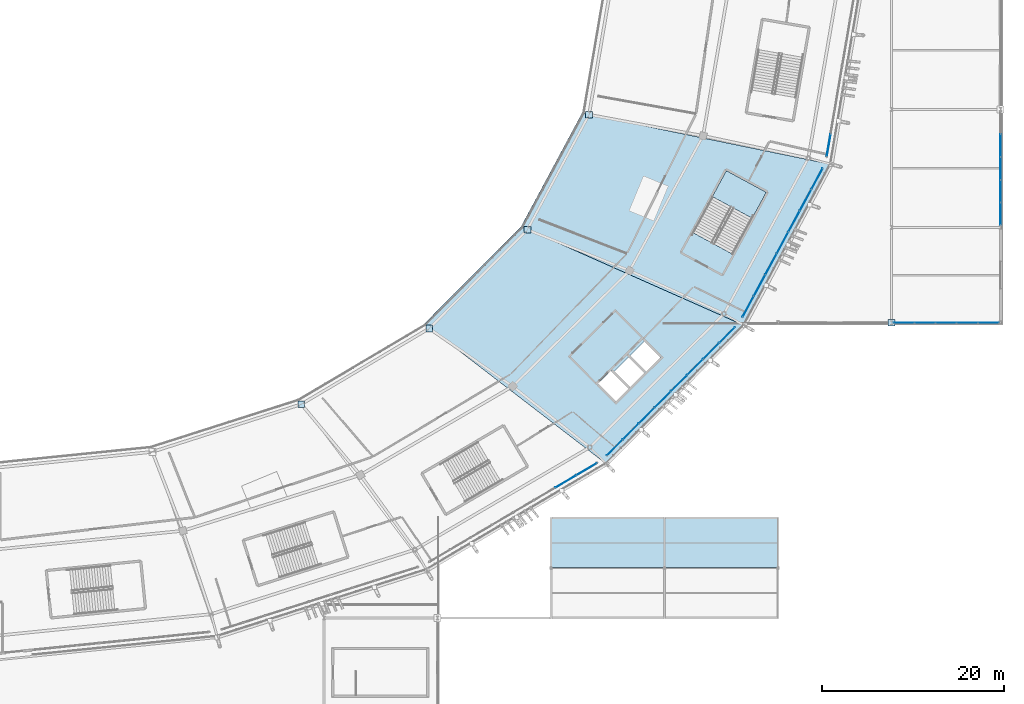
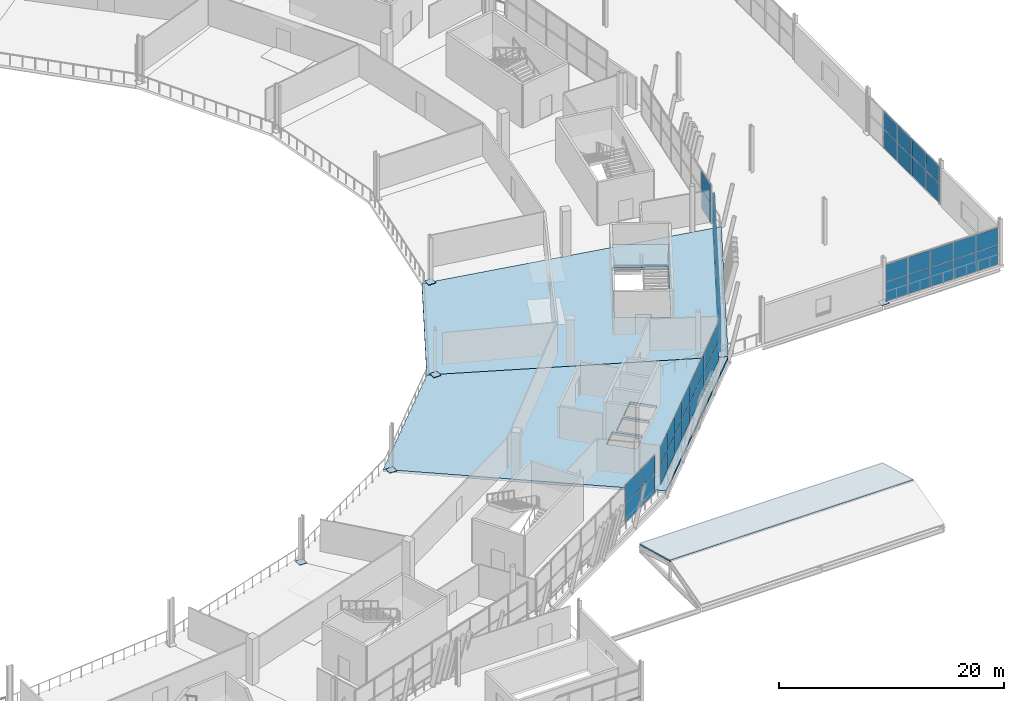
# One storey, part 97 of 179: 59 plates, 4 slabs, 8 elements without a shape of their own.
"""IFC4 building model written with IfcOpenShell, lengths in metres."""

from ifc_helpers import new_model, si_unit, direction, frame, origin, origin_2d, place, context, subcontext, project, spatial, polyline, rectangle, outline, extrude, material, layer, layer_set, type_object, element, aggregate, save


model = new_model("IFC4")

# Units and contexts
model_context = context("Model", 3, precision=1e-05, world=origin(), true_north=direction((0.0, 1.0)))
body_context = subcontext(model_context, "Body", "Model", "MODEL_VIEW")
ifc_project = project(units=[si_unit("LENGTHUNIT", "METRE"), si_unit("AREAUNIT", "SQUARE_METRE"), si_unit("VOLUMEUNIT", "CUBIC_METRE"), si_unit("PLANEANGLEUNIT", "RADIAN"), si_unit("MASSUNIT", "GRAM", prefix="KILO")], contexts=[model_context])

# Site, building, storey
site_placement = place(None, origin())
site = spatial("IfcSite", under=ifc_project, at=site_placement, CompositionType="ELEMENT")
building_placement = place(site_placement, origin())
building = spatial("IfcBuilding", under=site, at=building_placement, Name="Zlatoyarsky Gate Stadium", CompositionType="ELEMENT")
storey_placement = place(building_placement, frame((0.0, 0.0, 10.60009765625)))
storey = spatial("IfcBuildingStorey", under=building, at=storey_placement, Name="L02", CompositionType="ELEMENT", Elevation=10.60009765625)

# Roof, slab
ifc_material_1 = material(Name="Standing-seam aluminium-zinc roofing with mineral wool insulation", Category="aluminium")
ifc_layer_1 = layer(ifc_material_1, 0.080078125)
ifc_layer_set_1 = layer_set([ifc_layer_1], Name="Standing-seam aluminium-zinc roofing with mineral wool insulation")
roof_type = type_object("IfcRoofType", Name="WINTER GARDEN PAVILION ROOF ASSEMBLY", PredefinedType="PAVILION_ROOF", material=ifc_layer_set_1)
roof_placement = place(storey_placement, origin())
roof = element("IfcRoof", 1, at=roof_placement, inside=storey, type_object=roof_type, Name="V6_SE pavilion roof", PredefinedType="PAVILION_ROOF")
ifc_material_2 = material(Name="Concrete C40/50", Category="concrete")
ifc_layer_2 = layer(ifc_material_2, 0.159912109375)
ifc_layer_set_2 = layer_set([ifc_layer_2], Name="Concrete C40/50")
slab_type_1 = type_object("IfcSlabType", Name="COMPOSITE PORTICO CANOPY SLAB 160", PredefinedType="ROOF", material=ifc_layer_set_2)
slab_1_placement = place(storey_placement, frame((197.5, 22.0, 0.0), z_axis=(0.0, 0.263080822719, 0.964773797694), x_axis=(-1.0, 0.0, 0.0)))
slab_1 = element("IfcSlab", 2, at=slab_1_placement, type_object=slab_type_1, Name="V6_SE sloped roof slab 2", PredefinedType="ROOF", context=body_context, shape_type="SweptSolid", body=[
    extrude(outline(polyline([(0.0, 0.0), (25.0, 0.0), (25.0, 5.646917505320693), (0.0, 5.646917505320693), (0.0, 0.0)])), origin(), (0.0, 0.0, -1.0), 0.159912109375),
])
aggregate(roof, [slab_1])

# Slabs
ifc_layer_3 = layer(ifc_material_2, 0.280029296875)
ifc_layer_set_3 = layer_set([ifc_layer_3], Name="Concrete C40/50")
slab_type_2 = type_object("IfcSlabType", Name="CONCRETE HOSPITALITY SLAB 280", PredefinedType="FLOOR", material=ifc_layer_set_3)
slab_2_placement = place(storey_placement, frame((0.0, 0.0, -0.280029296875)))
element("IfcSlab", 3, at=slab_2_placement, inside=storey, type_object=slab_type_2, Name="L02 bowl sector 21 slab", PredefinedType="FLOOR", context=body_context, shape_type="SweptSolid", body=[
    extrude(outline(polyline([(169.197021484375, 54.10009765625), (193.85791015625, 43.162109375), (178.653076171875, 27.9033203125), (158.517578125, 43.371826171875), (169.197021484375, 54.10009765625)]), holes=[polyline([(179.643310546875, 34.814208984375), (181.06103515625, 36.224853515625), (179.086181640625, 38.209716796875), (177.668212890625, 36.799072265625), (179.643310546875, 34.814208984375)]), polyline([(181.23828125, 36.401123046875), (182.7978515625, 37.952880859375), (181.034423828125, 39.72509765625), (179.47509765625, 38.17333984375), (181.23828125, 36.401123046875)]), polyline([(182.97509765625, 38.129150390625), (184.53466796875, 39.680908203125), (182.771240234375, 41.452880859375), (181.2119140625, 39.9013671875), (182.97509765625, 38.129150390625)])]), origin(), (0.0, 0.0, 1.0), 0.280029296875),
])
slab_3_placement = place(storey_placement, frame((0.0, 0.0, -0.280029296875)))
element("IfcSlab", 4, at=slab_3_placement, inside=storey, type_object=slab_type_2, Name="L02 bowl sector 22 slab", PredefinedType="FLOOR", context=body_context, shape_type="SweptSolid", body=[
    extrude(outline(polyline([(175.91015625, 66.59326171875), (203.415771484375, 60.931396484375), (193.85791015625, 43.162109375), (169.197021484375, 54.10009765625), (175.91015625, 66.59326171875)]), holes=[polyline([(188.108154296875, 53.438720703125), (192.5029296875, 51.05419921875), (196.19873046875, 57.8662109375), (191.803955078125, 60.250732421875), (188.108154296875, 53.438720703125)])]), origin(), (0.0, 0.0, 1.0), 0.280029296875),
])

# Stair, slab
stair_type = type_object("IfcStairType", Name="CONCRETE DOGLEG EXIT STAIR H5000", PredefinedType="TWO_STRAIGHT_RUN_STAIR", material=ifc_material_2)
stair_placement = place(storey_placement, origin())
stair = element("IfcStair", 5, at=stair_placement, inside=storey, type_object=stair_type, Name="L02 Exit Stair ST-12", PredefinedType="TWO_STRAIGHT_RUN_STAIR")
ifc_layer_4 = layer(ifc_material_2, 0.199951171875)
ifc_layer_set_4 = layer_set([ifc_layer_4], Name="Concrete C40/50")
slab_type_3 = type_object("IfcSlabType", Name="CONCRETE STAIR LANDING SLAB 200", PredefinedType="LANDING", material=ifc_layer_set_4)
slab_4_placement = place(storey_placement, frame((0.0, 0.0, 2.2998046875)))
slab_4 = element("IfcSlab", 6, at=slab_4_placement, type_object=slab_type_3, Name="ST-DG50 landing 1", PredefinedType="LANDING", context=body_context, shape_type="SweptSolid", body=[
    extrude(outline(polyline([(194.64892578125, 55.009521484375), (196.19873046875, 57.8662109375), (191.803955078125, 60.250732421875), (190.254150390625, 57.39404296875), (194.64892578125, 55.009521484375)])), origin(), (0.0, 0.0, 1.0), 0.2001953125),
])
aggregate(stair, [slab_4])

# Plates
ifc_material_3 = material(Name="Steel S355", Category="steel")
ifc_layer_5 = layer(ifc_material_3, 0.0400390625)
ifc_layer_set_5 = layer_set([ifc_layer_5], Name="Steel S355")
plate_type_1 = type_object("IfcPlateType", Name="STEEL COLUMN BASE PLATE 40", PredefinedType="USERDEFINED", material=ifc_layer_set_5)
for number, where, z_axis, x_axis, name in (
    (7, (145.0, 34.53369140625, 0.0), (0.0, 0.0, 1.0), (1.0, 0.0, 0.0), "Column base plate BP-01 at RA-20 L02"),
    (8, (159.083251953125, 42.876953125, 0.0), (0.0, 0.0, 1.0), (1.0, 0.0, 0.0), "Column base plate BP-01 at RA-21 L02"),
    (9, (169.8896484375, 53.75, 0.0), (0.0, 0.0, 1.0), (1.0, 0.0, 0.0), "Column base plate BP-01 at RA-22 L02"),
    (10, (176.68310546875, 66.412109375, 0.0), (0.0, 0.0, 1.0), (1.0, 0.0, 0.0), "Column base plate BP-01 at RA-23 L02"),
    (11, (210.0, 43.5, 0.0), (0.0, 0.0, 1.0), (1.0, 0.0, 0.0), "Column base plate BP-01 at WG-18-E L02"),
):
    element("IfcPlate", number, at=place(storey_placement, frame(where, z_axis=z_axis, x_axis=x_axis)), inside=storey, type_object=plate_type_1, Name=name, ObjectType="BASE PLATE", PredefinedType="USERDEFINED", context=body_context, shape_type="SweptSolid", body=[
        extrude(rectangle(XDim=0.75, YDim=0.75, at=origin_2d()), origin(), (0.0, 0.0, 1.0), 0.0400390625),
    ])

# Curtain wall, plates
ifc_material_4 = material(Name="Thermally broken anodised aluminium curtain wall", Category="aluminium")
curtain_wall_type_1 = type_object("IfcCurtainWallType", Name="UNITISED HOSPITALITY GLAZING L02", PredefinedType="USERDEFINED", material=ifc_material_4)
curtain_wall_1_placement = place(storey_placement, origin())
curtain_wall_1 = element("IfcCurtainWall", 12, at=curtain_wall_1_placement, inside=storey, type_object=curtain_wall_type_1, Name="Curtain wall CW-L02-20", ObjectType="UNITISED GLAZING", PredefinedType="USERDEFINED")
ifc_material_5 = material(Name="Triple-glazed argon low-e architectural glass", Category="glass")
ifc_layer_6 = layer(ifc_material_5, 0.0380859375)
ifc_layer_set_6 = layer_set([ifc_layer_6], Name="Triple-glazed argon low-e architectural glass")
plate_type_2 = type_object("IfcPlateType", Name="TRIPLE GLAZED LOW E CURTAIN PANEL 38", PredefinedType="CURTAIN_PANEL", material=ifc_layer_set_6)
plate_1_placement = place(storey_placement, frame((174.1201171875, 26.017333984375, 0.06494140625), z_axis=(0.0, 0.0, 1.0), x_axis=(0.861425239802, 0.507884392586, 0.0)))
plate_1 = element("IfcPlate", 13, at=plate_1_placement, type_object=plate_type_2, Name="CW-UG2 panel 7.1", PredefinedType="CURTAIN_PANEL", context=body_context, shape_type="SweptSolid", body=[
    extrude(rectangle(XDim=2.626708984375, YDim=0.0380859375, at=origin_2d()), origin(), (0.0, 0.0, 1.0), 2.052490234375),
])
plate_2_placement = place(storey_placement, frame((174.1201171875, 26.017333984375, 2.1826171875), z_axis=(0.0, 0.0, 1.0), x_axis=(0.861425239802, 0.507884392586, 0.0)))
plate_2 = element("IfcPlate", 14, at=plate_2_placement, type_object=plate_type_2, Name="CW-UG2 panel 7.2", PredefinedType="CURTAIN_PANEL", context=body_context, shape_type="SweptSolid", body=[
    extrude(rectangle(XDim=2.626708984375, YDim=0.0380859375, at=origin_2d()), origin(), (0.0, 0.0, 1.0), 1.952392578125),
])
plate_3_placement = place(storey_placement, frame((176.4248046875, 27.376220703125, 0.06494140625), z_axis=(0.0, 0.0, 1.0), x_axis=(0.861425239802, 0.507884392586, 0.0)))
plate_3 = element("IfcPlate", 15, at=plate_3_placement, type_object=plate_type_2, Name="CW-UG2 panel 8.1", PredefinedType="CURTAIN_PANEL", context=body_context, shape_type="SweptSolid", body=[
    extrude(rectangle(XDim=2.59423828125, YDim=0.0380859375, at=origin_2d()), origin(), (0.0, 0.0, 1.0), 2.052490234375),
])
plate_4_placement = place(storey_placement, frame((176.4248046875, 27.376220703125, 2.1826171875), z_axis=(0.0, 0.0, 1.0), x_axis=(0.861425239802, 0.507884392586, 0.0)))
plate_4 = element("IfcPlate", 16, at=plate_4_placement, type_object=plate_type_2, Name="CW-UG2 panel 8.2", PredefinedType="CURTAIN_PANEL", context=body_context, shape_type="SweptSolid", body=[
    extrude(rectangle(XDim=2.59423828125, YDim=0.0380859375, at=origin_2d()), origin(), (0.0, 0.0, 1.0), 1.952392578125),
])
aggregate(curtain_wall_1, [plate_1, plate_2, plate_3, plate_4])

curtain_wall_2_placement = place(storey_placement, origin())
curtain_wall_2 = element("IfcCurtainWall", 17, at=curtain_wall_2_placement, inside=storey, type_object=curtain_wall_type_1, Name="Curtain wall CW-L02-21", ObjectType="UNITISED GLAZING", PredefinedType="USERDEFINED")
plate_5_placement = place(storey_placement, frame((179.514892578125, 29.7568359375, 0.06494140625), z_axis=(0.0, 0.0, 1.0), x_axis=(0.706628049573, 0.707585188904, 0.0)))
plate_5 = element("IfcPlate", 18, at=plate_5_placement, type_object=plate_type_2, Name="CW-UG2 panel 1.1", PredefinedType="CURTAIN_PANEL", context=body_context, shape_type="SweptSolid", body=[
    extrude(rectangle(XDim=2.409912109375, YDim=0.0380859375, at=origin_2d()), origin(), (0.0, 0.0, 1.0), 2.052490234375),
])
plate_6_placement = place(storey_placement, frame((179.514892578125, 29.7568359375, 2.1826171875), z_axis=(0.0, 0.0, 1.0), x_axis=(0.706628049573, 0.707585188904, 0.0)))
plate_6 = element("IfcPlate", 19, at=plate_6_placement, type_object=plate_type_2, Name="CW-UG2 panel 1.2", PredefinedType="CURTAIN_PANEL", context=body_context, shape_type="SweptSolid", body=[
    extrude(rectangle(XDim=2.409912109375, YDim=0.0380859375, at=origin_2d()), origin(), (0.0, 0.0, 1.0), 1.952392578125),
])
plate_7_placement = place(storey_placement, frame((181.275146484375, 31.51953125, 0.06494140625), z_axis=(0.0, 0.0, 1.0), x_axis=(0.706628049573, 0.707585188904, 0.0)))
plate_7 = element("IfcPlate", 20, at=plate_7_placement, type_object=plate_type_2, Name="CW-UG2 panel 2.1", PredefinedType="CURTAIN_PANEL", context=body_context, shape_type="SweptSolid", body=[
    extrude(rectangle(XDim=2.4423828125, YDim=0.0380859375, at=origin_2d()), origin(), (0.0, 0.0, 1.0), 2.052490234375),
])
plate_8_placement = place(storey_placement, frame((181.275146484375, 31.51953125, 2.1826171875), z_axis=(0.0, 0.0, 1.0), x_axis=(0.706628049573, 0.707585188904, 0.0)))
plate_8 = element("IfcPlate", 21, at=plate_8_placement, type_object=plate_type_2, Name="CW-UG2 panel 2.2", PredefinedType="CURTAIN_PANEL", context=body_context, shape_type="SweptSolid", body=[
    extrude(rectangle(XDim=2.4423828125, YDim=0.0380859375, at=origin_2d()), origin(), (0.0, 0.0, 1.0), 1.952392578125),
])
plate_9_placement = place(storey_placement, frame((183.047119140625, 33.293701171875, 0.06494140625), z_axis=(0.0, 0.0, 1.0), x_axis=(0.706628049573, 0.707585188904, 0.0)))
plate_9 = element("IfcPlate", 22, at=plate_9_placement, type_object=plate_type_2, Name="CW-UG2 panel 3.1", PredefinedType="CURTAIN_PANEL", context=body_context, shape_type="SweptSolid", body=[
    extrude(rectangle(XDim=2.4423828125, YDim=0.0380859375, at=origin_2d()), origin(), (0.0, 0.0, 1.0), 2.052490234375),
])
plate_10_placement = place(storey_placement, frame((183.047119140625, 33.293701171875, 2.1826171875), z_axis=(0.0, 0.0, 1.0), x_axis=(0.706628049573, 0.707585188904, 0.0)))
plate_10 = element("IfcPlate", 23, at=plate_10_placement, type_object=plate_type_2, Name="CW-UG2 panel 3.2", PredefinedType="CURTAIN_PANEL", context=body_context, shape_type="SweptSolid", body=[
    extrude(rectangle(XDim=2.4423828125, YDim=0.0380859375, at=origin_2d()), origin(), (0.0, 0.0, 1.0), 1.952392578125),
])
plate_11_placement = place(storey_placement, frame((184.81884765625, 35.06787109375, 0.06494140625), z_axis=(0.0, 0.0, 1.0), x_axis=(0.706628049573, 0.707585188904, 0.0)))
plate_11 = element("IfcPlate", 24, at=plate_11_placement, type_object=plate_type_2, Name="CW-UG2 panel 4.1", PredefinedType="CURTAIN_PANEL", context=body_context, shape_type="SweptSolid", body=[
    extrude(rectangle(XDim=2.4423828125, YDim=0.0380859375, at=origin_2d()), origin(), (0.0, 0.0, 1.0), 2.052490234375),
])
plate_12_placement = place(storey_placement, frame((184.81884765625, 35.06787109375, 2.1826171875), z_axis=(0.0, 0.0, 1.0), x_axis=(0.706628049573, 0.707585188904, 0.0)))
plate_12 = element("IfcPlate", 25, at=plate_12_placement, type_object=plate_type_2, Name="CW-UG2 panel 4.2", PredefinedType="CURTAIN_PANEL", context=body_context, shape_type="SweptSolid", body=[
    extrude(rectangle(XDim=2.4423828125, YDim=0.0380859375, at=origin_2d()), origin(), (0.0, 0.0, 1.0), 1.952392578125),
])
plate_13_placement = place(storey_placement, frame((186.5908203125, 36.84228515625, 0.06494140625), z_axis=(0.0, 0.0, 1.0), x_axis=(0.706628049573, 0.707585188904, 0.0)))
plate_13 = element("IfcPlate", 26, at=plate_13_placement, type_object=plate_type_2, Name="CW-UG2 panel 5.1", PredefinedType="CURTAIN_PANEL", context=body_context, shape_type="SweptSolid", body=[
    extrude(rectangle(XDim=2.4423828125, YDim=0.0380859375, at=origin_2d()), origin(), (0.0, 0.0, 1.0), 2.052490234375),
])
plate_14_placement = place(storey_placement, frame((186.5908203125, 36.84228515625, 2.1826171875), z_axis=(0.0, 0.0, 1.0), x_axis=(0.706628049573, 0.707585188904, 0.0)))
plate_14 = element("IfcPlate", 27, at=plate_14_placement, type_object=plate_type_2, Name="CW-UG2 panel 5.2", PredefinedType="CURTAIN_PANEL", context=body_context, shape_type="SweptSolid", body=[
    extrude(rectangle(XDim=2.4423828125, YDim=0.0380859375, at=origin_2d()), origin(), (0.0, 0.0, 1.0), 1.952392578125),
])
plate_15_placement = place(storey_placement, frame((188.362548828125, 38.616455078125, 0.06494140625), z_axis=(0.0, 0.0, 1.0), x_axis=(0.706628049573, 0.707585188904, 0.0)))
plate_15 = element("IfcPlate", 28, at=plate_15_placement, type_object=plate_type_2, Name="CW-UG2 panel 6.1", PredefinedType="CURTAIN_PANEL", context=body_context, shape_type="SweptSolid", body=[
    extrude(rectangle(XDim=2.4423828125, YDim=0.0380859375, at=origin_2d()), origin(), (0.0, 0.0, 1.0), 2.052490234375),
])
plate_16_placement = place(storey_placement, frame((188.362548828125, 38.616455078125, 2.1826171875), z_axis=(0.0, 0.0, 1.0), x_axis=(0.706628049573, 0.707585188904, 0.0)))
plate_16 = element("IfcPlate", 29, at=plate_16_placement, type_object=plate_type_2, Name="CW-UG2 panel 6.2", PredefinedType="CURTAIN_PANEL", context=body_context, shape_type="SweptSolid", body=[
    extrude(rectangle(XDim=2.4423828125, YDim=0.0380859375, at=origin_2d()), origin(), (0.0, 0.0, 1.0), 1.952392578125),
])
plate_17_placement = place(storey_placement, frame((190.134521484375, 40.390625, 0.06494140625), z_axis=(0.0, 0.0, 1.0), x_axis=(0.706628049573, 0.707585188904, 0.0)))
plate_17 = element("IfcPlate", 30, at=plate_17_placement, type_object=plate_type_2, Name="CW-UG2 panel 7.1", PredefinedType="CURTAIN_PANEL", context=body_context, shape_type="SweptSolid", body=[
    extrude(rectangle(XDim=2.4423828125, YDim=0.0380859375, at=origin_2d()), origin(), (0.0, 0.0, 1.0), 2.052490234375),
])
plate_18_placement = place(storey_placement, frame((190.134521484375, 40.390625, 2.1826171875), z_axis=(0.0, 0.0, 1.0), x_axis=(0.706628049573, 0.707585188904, 0.0)))
plate_18 = element("IfcPlate", 31, at=plate_18_placement, type_object=plate_type_2, Name="CW-UG2 panel 7.2", PredefinedType="CURTAIN_PANEL", context=body_context, shape_type="SweptSolid", body=[
    extrude(rectangle(XDim=2.4423828125, YDim=0.0380859375, at=origin_2d()), origin(), (0.0, 0.0, 1.0), 1.952392578125),
])
plate_19_placement = place(storey_placement, frame((191.894775390625, 42.153564453125, 0.06494140625), z_axis=(0.0, 0.0, 1.0), x_axis=(0.706628049573, 0.707585188904, 0.0)))
plate_19 = element("IfcPlate", 32, at=plate_19_placement, type_object=plate_type_2, Name="CW-UG2 panel 8.1", PredefinedType="CURTAIN_PANEL", context=body_context, shape_type="SweptSolid", body=[
    extrude(rectangle(XDim=2.409912109375, YDim=0.0380859375, at=origin_2d()), origin(), (0.0, 0.0, 1.0), 2.052490234375),
])
plate_20_placement = place(storey_placement, frame((191.894775390625, 42.153564453125, 2.1826171875), z_axis=(0.0, 0.0, 1.0), x_axis=(0.706628049573, 0.707585188904, 0.0)))
plate_20 = element("IfcPlate", 33, at=plate_20_placement, type_object=plate_type_2, Name="CW-UG2 panel 8.2", PredefinedType="CURTAIN_PANEL", context=body_context, shape_type="SweptSolid", body=[
    extrude(rectangle(XDim=2.409912109375, YDim=0.0380859375, at=origin_2d()), origin(), (0.0, 0.0, 1.0), 1.952392578125),
])
aggregate(curtain_wall_2, [plate_5, plate_6, plate_7, plate_8, plate_9, plate_10, plate_11, plate_12, plate_13, plate_14, plate_15, plate_16, plate_17, plate_18, plate_19, plate_20])

curtain_wall_3_placement = place(storey_placement, origin())
curtain_wall_3 = element("IfcCurtainWall", 34, at=curtain_wall_3_placement, inside=storey, type_object=curtain_wall_type_1, Name="Curtain wall CW-L02-22", ObjectType="UNITISED GLAZING", PredefinedType="USERDEFINED")
plate_21_placement = place(storey_placement, frame((194.201171875, 45.27392578125, 0.06494140625), z_axis=(0.0, 0.0, 1.0), x_axis=(0.474534214859, 0.88023705837, 0.0)))
plate_21 = element("IfcPlate", 35, at=plate_21_placement, type_object=plate_type_2, Name="CW-UG2 panel 1.1", PredefinedType="CURTAIN_PANEL", context=body_context, shape_type="SweptSolid", body=[
    extrude(rectangle(XDim=2.5732421875, YDim=0.0380859375, at=origin_2d()), origin(), (0.0, 0.0, 1.0), 2.052490234375),
])
plate_22_placement = place(storey_placement, frame((194.201171875, 45.27392578125, 2.1826171875), z_axis=(0.0, 0.0, 1.0), x_axis=(0.474534214859, 0.88023705837, 0.0)))
plate_22 = element("IfcPlate", 36, at=plate_22_placement, type_object=plate_type_2, Name="CW-UG2 panel 1.2", PredefinedType="CURTAIN_PANEL", context=body_context, shape_type="SweptSolid", body=[
    extrude(rectangle(XDim=2.5732421875, YDim=0.0380859375, at=origin_2d()), origin(), (0.0, 0.0, 1.0), 1.952392578125),
])
plate_23_placement = place(storey_placement, frame((195.4609375, 47.610595703125, 0.06494140625), z_axis=(0.0, 0.0, 1.0), x_axis=(0.474534214859, 0.88023705837, 0.0)))
plate_23 = element("IfcPlate", 37, at=plate_23_placement, type_object=plate_type_2, Name="CW-UG2 panel 2.1", PredefinedType="CURTAIN_PANEL", context=body_context, shape_type="SweptSolid", body=[
    extrude(rectangle(XDim=2.605712890625, YDim=0.0380859375, at=origin_2d()), origin(), (0.0, 0.0, 1.0), 2.052490234375),
])
plate_24_placement = place(storey_placement, frame((195.4609375, 47.610595703125, 2.1826171875), z_axis=(0.0, 0.0, 1.0), x_axis=(0.474534214859, 0.88023705837, 0.0)))
plate_24 = element("IfcPlate", 38, at=plate_24_placement, type_object=plate_type_2, Name="CW-UG2 panel 2.2", PredefinedType="CURTAIN_PANEL", context=body_context, shape_type="SweptSolid", body=[
    extrude(rectangle(XDim=2.605712890625, YDim=0.0380859375, at=origin_2d()), origin(), (0.0, 0.0, 1.0), 1.952392578125),
])
plate_25_placement = place(storey_placement, frame((196.728271484375, 49.96142578125, 0.06494140625), z_axis=(0.0, 0.0, 1.0), x_axis=(0.474534214859, 0.88023705837, 0.0)))
plate_25 = element("IfcPlate", 39, at=plate_25_placement, type_object=plate_type_2, Name="CW-UG2 panel 3.1", PredefinedType="CURTAIN_PANEL", context=body_context, shape_type="SweptSolid", body=[
    extrude(rectangle(XDim=2.605712890625, YDim=0.0380859375, at=origin_2d()), origin(), (0.0, 0.0, 1.0), 2.052490234375),
])
plate_26_placement = place(storey_placement, frame((196.728271484375, 49.96142578125, 2.1826171875), z_axis=(0.0, 0.0, 1.0), x_axis=(0.474534214859, 0.88023705837, 0.0)))
plate_26 = element("IfcPlate", 40, at=plate_26_placement, type_object=plate_type_2, Name="CW-UG2 panel 3.2", PredefinedType="CURTAIN_PANEL", context=body_context, shape_type="SweptSolid", body=[
    extrude(rectangle(XDim=2.605712890625, YDim=0.0380859375, at=origin_2d()), origin(), (0.0, 0.0, 1.0), 1.952392578125),
])
plate_27_placement = place(storey_placement, frame((197.99560546875, 52.312255859375, 0.06494140625), z_axis=(0.0, 0.0, 1.0), x_axis=(0.474534214859, 0.88023705837, 0.0)))
plate_27 = element("IfcPlate", 41, at=plate_27_placement, type_object=plate_type_2, Name="CW-UG2 panel 4.1", PredefinedType="CURTAIN_PANEL", context=body_context, shape_type="SweptSolid", body=[
    extrude(rectangle(XDim=2.605712890625, YDim=0.0380859375, at=origin_2d()), origin(), (0.0, 0.0, 1.0), 2.052490234375),
])
plate_28_placement = place(storey_placement, frame((197.99560546875, 52.312255859375, 2.1826171875), z_axis=(0.0, 0.0, 1.0), x_axis=(0.474534214859, 0.88023705837, 0.0)))
plate_28 = element("IfcPlate", 42, at=plate_28_placement, type_object=plate_type_2, Name="CW-UG2 panel 4.2", PredefinedType="CURTAIN_PANEL", context=body_context, shape_type="SweptSolid", body=[
    extrude(rectangle(XDim=2.605712890625, YDim=0.0380859375, at=origin_2d()), origin(), (0.0, 0.0, 1.0), 1.952392578125),
])
plate_29_placement = place(storey_placement, frame((199.262939453125, 54.6630859375, 0.06494140625), z_axis=(0.0, 0.0, 1.0), x_axis=(0.474534214859, 0.88023705837, 0.0)))
plate_29 = element("IfcPlate", 43, at=plate_29_placement, type_object=plate_type_2, Name="CW-UG2 panel 5.1", PredefinedType="CURTAIN_PANEL", context=body_context, shape_type="SweptSolid", body=[
    extrude(rectangle(XDim=2.605712890625, YDim=0.0380859375, at=origin_2d()), origin(), (0.0, 0.0, 1.0), 2.052490234375),
])
plate_30_placement = place(storey_placement, frame((199.262939453125, 54.6630859375, 2.1826171875), z_axis=(0.0, 0.0, 1.0), x_axis=(0.474534214859, 0.88023705837, 0.0)))
plate_30 = element("IfcPlate", 44, at=plate_30_placement, type_object=plate_type_2, Name="CW-UG2 panel 5.2", PredefinedType="CURTAIN_PANEL", context=body_context, shape_type="SweptSolid", body=[
    extrude(rectangle(XDim=2.605712890625, YDim=0.0380859375, at=origin_2d()), origin(), (0.0, 0.0, 1.0), 1.952392578125),
])
plate_31_placement = place(storey_placement, frame((200.5302734375, 57.013916015625, 0.06494140625), z_axis=(0.0, 0.0, 1.0), x_axis=(0.474534214859, 0.88023705837, 0.0)))
plate_31 = element("IfcPlate", 45, at=plate_31_placement, type_object=plate_type_2, Name="CW-UG2 panel 6.1", PredefinedType="CURTAIN_PANEL", context=body_context, shape_type="SweptSolid", body=[
    extrude(rectangle(XDim=2.605712890625, YDim=0.0380859375, at=origin_2d()), origin(), (0.0, 0.0, 1.0), 2.052490234375),
])
plate_32_placement = place(storey_placement, frame((200.5302734375, 57.013916015625, 2.1826171875), z_axis=(0.0, 0.0, 1.0), x_axis=(0.474534214859, 0.88023705837, 0.0)))
plate_32 = element("IfcPlate", 46, at=plate_32_placement, type_object=plate_type_2, Name="CW-UG2 panel 6.2", PredefinedType="CURTAIN_PANEL", context=body_context, shape_type="SweptSolid", body=[
    extrude(rectangle(XDim=2.605712890625, YDim=0.0380859375, at=origin_2d()), origin(), (0.0, 0.0, 1.0), 1.952392578125),
])
plate_33_placement = place(storey_placement, frame((201.7900390625, 59.3505859375, 0.06494140625), z_axis=(0.0, 0.0, 1.0), x_axis=(0.474534214859, 0.88023705837, 0.0)))
plate_33 = element("IfcPlate", 47, at=plate_33_placement, type_object=plate_type_2, Name="CW-UG2 panel 7.1", PredefinedType="CURTAIN_PANEL", context=body_context, shape_type="SweptSolid", body=[
    extrude(rectangle(XDim=2.5732421875, YDim=0.0380859375, at=origin_2d()), origin(), (0.0, 0.0, 1.0), 2.052490234375),
])
plate_34_placement = place(storey_placement, frame((201.7900390625, 59.3505859375, 2.1826171875), z_axis=(0.0, 0.0, 1.0), x_axis=(0.474534214859, 0.88023705837, 0.0)))
plate_34 = element("IfcPlate", 48, at=plate_34_placement, type_object=plate_type_2, Name="CW-UG2 panel 7.2", PredefinedType="CURTAIN_PANEL", context=body_context, shape_type="SweptSolid", body=[
    extrude(rectangle(XDim=2.5732421875, YDim=0.0380859375, at=origin_2d()), origin(), (0.0, 0.0, 1.0), 1.952392578125),
])
aggregate(curtain_wall_3, [plate_21, plate_22, plate_23, plate_24, plate_25, plate_26, plate_27, plate_28, plate_29, plate_30, plate_31, plate_32, plate_33, plate_34])

curtain_wall_4_placement = place(storey_placement, origin())
curtain_wall_4 = element("IfcCurtainWall", 49, at=curtain_wall_4_placement, inside=storey, type_object=curtain_wall_type_1, Name="Curtain wall CW-L02-23", ObjectType="UNITISED GLAZING", PredefinedType="USERDEFINED")
plate_35_placement = place(storey_placement, frame((203.067626953125, 63.026611328125, 0.06494140625), z_axis=(0.0, 0.0, 1.0), x_axis=(0.168876489016, 0.985637221019, 0.0)))
plate_35 = element("IfcPlate", 50, at=plate_35_placement, type_object=plate_type_2, Name="CW-UG2 panel 1.1", PredefinedType="CURTAIN_PANEL", context=body_context, shape_type="SweptSolid", body=[
    extrude(rectangle(XDim=2.454345703125, YDim=0.0380859375, at=origin_2d()), origin(), (0.0, 0.0, 1.0), 2.052490234375),
])
plate_36_placement = place(storey_placement, frame((203.067626953125, 63.026611328125, 2.1826171875), z_axis=(0.0, 0.0, 1.0), x_axis=(0.168876489016, 0.985637221019, 0.0)))
plate_36 = element("IfcPlate", 51, at=plate_36_placement, type_object=plate_type_2, Name="CW-UG2 panel 1.2", PredefinedType="CURTAIN_PANEL", context=body_context, shape_type="SweptSolid", body=[
    extrude(rectangle(XDim=2.454345703125, YDim=0.0380859375, at=origin_2d()), origin(), (0.0, 0.0, 1.0), 1.952392578125),
])
aggregate(curtain_wall_4, [plate_35, plate_36])

curtain_wall_type_2 = type_object("IfcCurtainWallType", Name="WINTER GARDEN CONSERVATORY GLAZING", PredefinedType="USERDEFINED", material=ifc_material_4)
curtain_wall_5_placement = place(storey_placement, origin())
curtain_wall_5 = element("IfcCurtainWall", 52, at=curtain_wall_5_placement, inside=storey, type_object=curtain_wall_type_2, Name="Curtain wall CW-V5_EAST-L02-183", ObjectType="UNITISED GLAZING", PredefinedType="USERDEFINED")
plate_37_placement = place(storey_placement, frame((222.0, 55.48583984375, 0.06494140625), z_axis=(0.0, 0.0, 1.0), x_axis=(0.0, 1.0, 0.0)))
plate_37 = element("IfcPlate", 53, at=plate_37_placement, type_object=plate_type_2, Name="CW-WG1 panel 1.1", PredefinedType="CURTAIN_PANEL", context=body_context, shape_type="SweptSolid", body=[
    extrude(rectangle(XDim=2.417724609375, YDim=0.0380859375, at=origin_2d()), origin(), (0.0, 0.0, 1.0), 2.052490234375),
])
plate_38_placement = place(storey_placement, frame((222.0, 55.48583984375, 2.182373046875), z_axis=(0.0, 0.0, 1.0), x_axis=(0.0, 1.0, 0.0)))
plate_38 = element("IfcPlate", 54, at=plate_38_placement, type_object=plate_type_2, Name="CW-WG1 panel 1.2", PredefinedType="CURTAIN_PANEL", context=body_context, shape_type="SweptSolid", body=[
    extrude(rectangle(XDim=2.417724609375, YDim=0.0380859375, at=origin_2d()), origin(), (0.0, 0.0, 1.0), 1.8525390625),
])
plate_39_placement = place(storey_placement, frame((222.0, 57.98486328125, 0.06494140625), z_axis=(0.0, 0.0, 1.0), x_axis=(0.0, 1.0, 0.0)))
plate_39 = element("IfcPlate", 55, at=plate_39_placement, type_object=plate_type_2, Name="CW-WG1 panel 2.1", PredefinedType="CURTAIN_PANEL", context=body_context, shape_type="SweptSolid", body=[
    extrude(rectangle(XDim=2.4501953125, YDim=0.0380859375, at=origin_2d()), origin(), (0.0, 0.0, 1.0), 2.052490234375),
])
plate_40_placement = place(storey_placement, frame((222.0, 57.98486328125, 2.182373046875), z_axis=(0.0, 0.0, 1.0), x_axis=(0.0, 1.0, 0.0)))
plate_40 = element("IfcPlate", 56, at=plate_40_placement, type_object=plate_type_2, Name="CW-WG1 panel 2.2", PredefinedType="CURTAIN_PANEL", context=body_context, shape_type="SweptSolid", body=[
    extrude(rectangle(XDim=2.4501953125, YDim=0.0380859375, at=origin_2d()), origin(), (0.0, 0.0, 1.0), 1.8525390625),
])
plate_41_placement = place(storey_placement, frame((222.0, 60.5, 0.06494140625), z_axis=(0.0, 0.0, 1.0), x_axis=(0.0, 1.0, 0.0)))
plate_41 = element("IfcPlate", 57, at=plate_41_placement, type_object=plate_type_2, Name="CW-WG1 panel 3.1", PredefinedType="CURTAIN_PANEL", context=body_context, shape_type="SweptSolid", body=[
    extrude(rectangle(XDim=2.4501953125, YDim=0.0380859375, at=origin_2d()), origin(), (0.0, 0.0, 1.0), 2.052490234375),
])
plate_42_placement = place(storey_placement, frame((222.0, 60.5, 2.182373046875), z_axis=(0.0, 0.0, 1.0), x_axis=(0.0, 1.0, 0.0)))
plate_42 = element("IfcPlate", 58, at=plate_42_placement, type_object=plate_type_2, Name="CW-WG1 panel 3.2", PredefinedType="CURTAIN_PANEL", context=body_context, shape_type="SweptSolid", body=[
    extrude(rectangle(XDim=2.4501953125, YDim=0.0380859375, at=origin_2d()), origin(), (0.0, 0.0, 1.0), 1.8525390625),
])
plate_43_placement = place(storey_placement, frame((222.0, 63.01513671875, 0.06494140625), z_axis=(0.0, 0.0, 1.0), x_axis=(0.0, 1.0, 0.0)))
plate_43 = element("IfcPlate", 59, at=plate_43_placement, type_object=plate_type_2, Name="CW-WG1 panel 4.1", PredefinedType="CURTAIN_PANEL", context=body_context, shape_type="SweptSolid", body=[
    extrude(rectangle(XDim=2.4501953125, YDim=0.0380859375, at=origin_2d()), origin(), (0.0, 0.0, 1.0), 2.052490234375),
])
plate_44_placement = place(storey_placement, frame((222.0, 63.01513671875, 2.182373046875), z_axis=(0.0, 0.0, 1.0), x_axis=(0.0, 1.0, 0.0)))
plate_44 = element("IfcPlate", 60, at=plate_44_placement, type_object=plate_type_2, Name="CW-WG1 panel 4.2", PredefinedType="CURTAIN_PANEL", context=body_context, shape_type="SweptSolid", body=[
    extrude(rectangle(XDim=2.4501953125, YDim=0.0380859375, at=origin_2d()), origin(), (0.0, 0.0, 1.0), 1.8525390625),
])
aggregate(curtain_wall_5, [plate_37, plate_38, plate_39, plate_40, plate_41, plate_42, plate_43, plate_44])

curtain_wall_6_placement = place(storey_placement, origin())
curtain_wall_6 = element("IfcCurtainWall", 61, at=curtain_wall_6_placement, inside=storey, type_object=curtain_wall_type_2, Name="Curtain wall CW-V5_EAST-L02-189", ObjectType="UNITISED GLAZING", PredefinedType="USERDEFINED")
plate_45_placement = place(storey_placement, frame((211.345947265625, 43.5, 0.06494140625), z_axis=(0.0, 0.0, 1.0), x_axis=(1.0, 0.0, 0.0)))
plate_45 = element("IfcPlate", 62, at=plate_45_placement, type_object=plate_type_2, Name="CW-WG1 panel 1.1", PredefinedType="CURTAIN_PANEL", context=body_context, shape_type="SweptSolid", body=[
    extrude(rectangle(XDim=2.23779296875, YDim=0.0380859375, at=origin_2d()), origin(), (0.0, 0.0, 1.0), 2.052490234375),
])
plate_46_placement = place(storey_placement, frame((211.345947265625, 43.5, 2.182373046875), z_axis=(0.0, 0.0, 1.0), x_axis=(1.0, 0.0, 0.0)))
plate_46 = element("IfcPlate", 63, at=plate_46_placement, type_object=plate_type_2, Name="CW-WG1 panel 1.2", PredefinedType="CURTAIN_PANEL", context=body_context, shape_type="SweptSolid", body=[
    extrude(rectangle(XDim=2.23779296875, YDim=0.0380859375, at=origin_2d()), origin(), (0.0, 0.0, 1.0), 1.8525390625),
])
plate_47_placement = place(storey_placement, frame((213.664794921875, 43.5, 0.06494140625), z_axis=(0.0, 0.0, 1.0), x_axis=(1.0, 0.0, 0.0)))
plate_47 = element("IfcPlate", 64, at=plate_47_placement, type_object=plate_type_2, Name="CW-WG1 panel 2.1", PredefinedType="CURTAIN_PANEL", context=body_context, shape_type="SweptSolid", body=[
    extrude(rectangle(XDim=2.270263671875, YDim=0.0380859375, at=origin_2d()), origin(), (0.0, 0.0, 1.0), 2.052490234375),
])
plate_48_placement = place(storey_placement, frame((213.664794921875, 43.5, 2.182373046875), z_axis=(0.0, 0.0, 1.0), x_axis=(1.0, 0.0, 0.0)))
plate_48 = element("IfcPlate", 65, at=plate_48_placement, type_object=plate_type_2, Name="CW-WG1 panel 2.2", PredefinedType="CURTAIN_PANEL", context=body_context, shape_type="SweptSolid", body=[
    extrude(rectangle(XDim=2.270263671875, YDim=0.0380859375, at=origin_2d()), origin(), (0.0, 0.0, 1.0), 1.8525390625),
])
plate_49_placement = place(storey_placement, frame((216.0, 43.5, 0.06494140625), z_axis=(0.0, 0.0, 1.0), x_axis=(1.0, 0.0, 0.0)))
plate_49 = element("IfcPlate", 66, at=plate_49_placement, type_object=plate_type_2, Name="CW-WG1 panel 3.1", PredefinedType="CURTAIN_PANEL", context=body_context, shape_type="SweptSolid", body=[
    extrude(rectangle(XDim=2.270263671875, YDim=0.0380859375, at=origin_2d()), origin(), (0.0, 0.0, 1.0), 2.052490234375),
])
plate_50_placement = place(storey_placement, frame((216.0, 43.5, 2.182373046875), z_axis=(0.0, 0.0, 1.0), x_axis=(1.0, 0.0, 0.0)))
plate_50 = element("IfcPlate", 67, at=plate_50_placement, type_object=plate_type_2, Name="CW-WG1 panel 3.2", PredefinedType="CURTAIN_PANEL", context=body_context, shape_type="SweptSolid", body=[
    extrude(rectangle(XDim=2.270263671875, YDim=0.0380859375, at=origin_2d()), origin(), (0.0, 0.0, 1.0), 1.8525390625),
])
plate_51_placement = place(storey_placement, frame((218.335205078125, 43.5, 0.06494140625), z_axis=(0.0, 0.0, 1.0), x_axis=(1.0, 0.0, 0.0)))
plate_51 = element("IfcPlate", 68, at=plate_51_placement, type_object=plate_type_2, Name="CW-WG1 panel 4.1", PredefinedType="CURTAIN_PANEL", context=body_context, shape_type="SweptSolid", body=[
    extrude(rectangle(XDim=2.270263671875, YDim=0.0380859375, at=origin_2d()), origin(), (0.0, 0.0, 1.0), 2.052490234375),
])
plate_52_placement = place(storey_placement, frame((218.335205078125, 43.5, 2.182373046875), z_axis=(0.0, 0.0, 1.0), x_axis=(1.0, 0.0, 0.0)))
plate_52 = element("IfcPlate", 69, at=plate_52_placement, type_object=plate_type_2, Name="CW-WG1 panel 4.2", PredefinedType="CURTAIN_PANEL", context=body_context, shape_type="SweptSolid", body=[
    extrude(rectangle(XDim=2.270263671875, YDim=0.0380859375, at=origin_2d()), origin(), (0.0, 0.0, 1.0), 1.8525390625),
])
plate_53_placement = place(storey_placement, frame((220.654052734375, 43.5, 0.06494140625), z_axis=(0.0, 0.0, 1.0), x_axis=(1.0, 0.0, 0.0)))
plate_53 = element("IfcPlate", 70, at=plate_53_placement, type_object=plate_type_2, Name="CW-WG1 panel 5.1", PredefinedType="CURTAIN_PANEL", context=body_context, shape_type="SweptSolid", body=[
    extrude(rectangle(XDim=2.23779296875, YDim=0.0380859375, at=origin_2d()), origin(), (0.0, 0.0, 1.0), 2.052490234375),
])
plate_54_placement = place(storey_placement, frame((220.654052734375, 43.5, 2.182373046875), z_axis=(0.0, 0.0, 1.0), x_axis=(1.0, 0.0, 0.0)))
plate_54 = element("IfcPlate", 71, at=plate_54_placement, type_object=plate_type_2, Name="CW-WG1 panel 5.2", PredefinedType="CURTAIN_PANEL", context=body_context, shape_type="SweptSolid", body=[
    extrude(rectangle(XDim=2.23779296875, YDim=0.0380859375, at=origin_2d()), origin(), (0.0, 0.0, 1.0), 1.8525390625),
])
aggregate(curtain_wall_6, [plate_45, plate_46, plate_47, plate_48, plate_49, plate_50, plate_51, plate_52, plate_53, plate_54])

save(model, "model.ifc")
